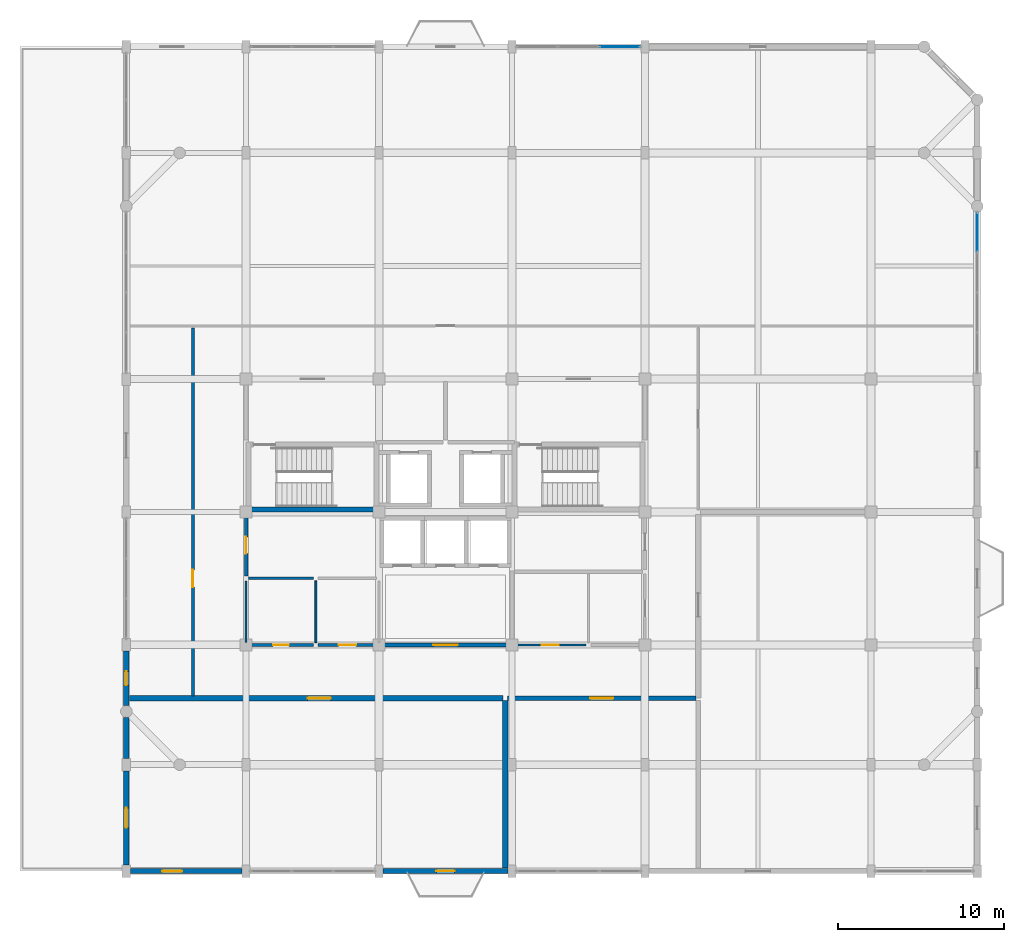
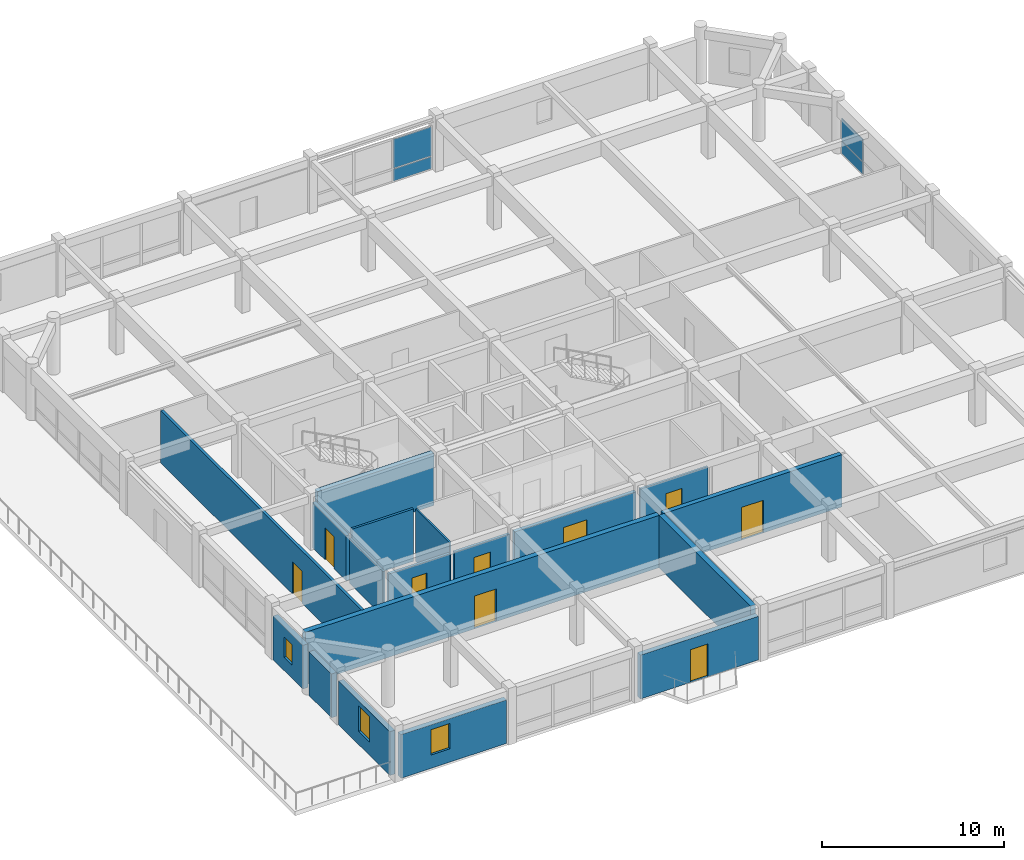
# One storey, part 9 of 13: 18 walls, 9 doors, 4 plates, 3 windows, 12 openings, 2 elements without a shape of their own.
"""IFC4 building model written with IfcOpenShell, lengths in metres."""

from ifc_helpers import new_model, si_unit, direction, frame, frame_2d, origin, origin_2d, place, context, subcontext, project, spatial, rectangle, extrude, material, layer, layer_set, type_object, element, fill, aggregate, save


model = new_model("IFC4")

# Units and contexts
model_context = context("Model", 3, precision=1e-05, world=origin(), true_north=direction((0.0, 1.0)))
body_context = subcontext(model_context, "Body", "Model", "MODEL_VIEW")
ifc_project = project(units=[si_unit("LENGTHUNIT", "METRE"), si_unit("AREAUNIT", "SQUARE_METRE"), si_unit("VOLUMEUNIT", "CUBIC_METRE"), si_unit("PLANEANGLEUNIT", "RADIAN"), si_unit("MASSUNIT", "GRAM", prefix="KILO")], contexts=[model_context])

# Site, building, storey
site_placement = place(None, origin())
site = spatial("IfcSite", under=ifc_project, at=site_placement, CompositionType="ELEMENT")
building_placement = place(site_placement, origin())
building = spatial("IfcBuilding", under=site, at=building_placement, Name="Vellmiral Cinema and Media Centre", CompositionType="ELEMENT")
storey_placement = place(building_placement, frame((0.0, 0.0, 39.5)))
storey = spatial("IfcBuildingStorey", under=building, at=storey_placement, Name="L09", CompositionType="ELEMENT", Elevation=39.5)

# Curtain wall, plate
ifc_material_1 = material(Name="Thermally Broken Aluminium and Triple Glazing", Category="aluminium")
curtain_wall_type_1 = type_object("IfcCurtainWallType", Name="CW-TOWER-MID-W", PredefinedType="USERDEFINED", material=ifc_material_1)
curtain_wall_1_placement = place(storey_placement, origin())
curtain_wall_1 = element("IfcCurtainWall", 1, at=curtain_wall_1_placement, inside=storey, type_object=curtain_wall_type_1, Name="Curtain Wall L09-B018", ObjectType="UNITISED CURTAIN WALL", PredefinedType="USERDEFINED")
ifc_material_2 = material(Name="Laminated Studio Acoustic Glazing", Category="glass")
ifc_layer_1 = layer(ifc_material_2, 0.0439453125, Name="Laminated Studio Acoustic Glazing")
ifc_layer_set_1 = layer_set([ifc_layer_1], Name="Laminated Studio Acoustic Glazing")
plate_type_1 = type_object("IfcPlateType", Name="CWP-ACOUST-44", PredefinedType="CURTAIN_PANEL", material=ifc_layer_set_1)
plate_1_placement = place(storey_placement, frame((146.483642578125, 115.199951171875, 0.9326171875), z_axis=(0.0, 0.0, 1.0), x_axis=(-1.0, 0.0, 0.0)))
plate_1 = element("IfcPlate", 2, at=plate_1_placement, type_object=plate_type_1, Name="CW-08 panel 1.2", PredefinedType="CURTAIN_PANEL", context=body_context, shape_type="SweptSolid", body=[
    extrude(rectangle(XDim=2.402587890625, YDim=0.0439453125, at=origin_2d()), origin(), (0.0, 0.0, 1.0), 1.9423828125),
])

# Curtain wall, plates
ifc_material_3 = material(Name="Thermally Broken Aluminium and Triple Glazing", Category="aluminium")
curtain_wall_type_2 = type_object("IfcCurtainWallType", Name="CW-TOWER-MID-E", PredefinedType="USERDEFINED", material=ifc_material_3)
curtain_wall_2_placement = place(storey_placement, origin())
curtain_wall_2 = element("IfcCurtainWall", 3, at=curtain_wall_2_placement, inside=storey, type_object=curtain_wall_type_2, Name="Curtain Wall L09-B012", ObjectType="UNITISED CURTAIN WALL", PredefinedType="USERDEFINED")
ifc_material_4 = material(Name="Honed Vosges Sandstone Spandrel Panel", Category="masonry")
ifc_layer_2 = layer(ifc_material_4, 0.06005859375, Name="Honed Vosges Sandstone Spandrel Panel")
ifc_layer_set_2 = layer_set([ifc_layer_2], Name="Honed Vosges Sandstone Spandrel Panel")
plate_type_2 = type_object("IfcPlateType", Name="CWP-SAND-60", PredefinedType="CURTAIN_PANEL", material=ifc_layer_set_2)
plate_2_placement = place(storey_placement, frame((168.0, 104.0244140625, 0.06494140625), z_axis=(0.0, 0.0, 1.0), x_axis=(0.0, 1.0, 0.0)))
plate_2 = element("IfcPlate", 4, at=plate_2_placement, type_object=plate_type_2, Name="CW-07 panel 4.1", PredefinedType="CURTAIN_PANEL", context=body_context, shape_type="SweptSolid", body=[
    extrude(rectangle(XDim=2.3212890625, YDim=0.06005859375, at=origin_2d()), origin(), (0.0, 0.0, 1.0), 0.802490234375),
])
ifc_material_5 = material(Name="Solar-Control Acoustic Triple Glazing", Category="glass")
ifc_layer_3 = layer(ifc_material_5, 0.0419921875, Name="Solar-Control Acoustic Triple Glazing")
ifc_layer_set_3 = layer_set([ifc_layer_3], Name="Solar-Control Acoustic Triple Glazing")
plate_type_3 = type_object("IfcPlateType", Name="CWP-SOLAR-42", PredefinedType="CURTAIN_PANEL", material=ifc_layer_set_3)
plate_3_placement = place(storey_placement, frame((168.0, 104.0244140625, 0.932373046875), z_axis=(0.0, 0.0, 1.0), x_axis=(0.0, 1.0, 0.0)))
plate_3 = element("IfcPlate", 5, at=plate_3_placement, type_object=plate_type_3, Name="CW-07 panel 4.2", PredefinedType="CURTAIN_PANEL", context=body_context, shape_type="SweptSolid", body=[
    extrude(rectangle(XDim=2.3212890625, YDim=0.0419921875, at=origin_2d()), origin(), (0.0, 0.0, 1.0), 1.4775390625),
])
aggregate(curtain_wall_2, [plate_2, plate_3])

# Plate
ifc_material_6 = material(Name="Polychrome Trencadis Ceramic Spandrel Panel", Category="ceramic")
ifc_layer_4 = layer(ifc_material_6, 0.052001953125, Name="Polychrome Trencadis Ceramic Spandrel Panel")
ifc_layer_set_4 = layer_set([ifc_layer_4], Name="Polychrome Trencadis Ceramic Spandrel Panel")
plate_type_4 = type_object("IfcPlateType", Name="CWP-TRENC-52", PredefinedType="CURTAIN_PANEL", material=ifc_layer_set_4)
plate_4_placement = place(storey_placement, frame((146.483642578125, 115.199951171875, 0.06494140625), z_axis=(0.0, 0.0, 1.0), x_axis=(-1.0, 0.0, 0.0)))
plate_4 = element("IfcPlate", 6, at=plate_4_placement, type_object=plate_type_4, Name="CW-08 panel 1.1", PredefinedType="CURTAIN_PANEL", context=body_context, shape_type="SweptSolid", body=[
    extrude(rectangle(XDim=2.402587890625, YDim=0.052001953125, at=origin_2d()), origin(), (0.0, 0.0, 1.0), 0.802490234375),
])

aggregate(curtain_wall_1, [plate_4, plate_1])

# Wall, opening, door
ifc_material_7 = material(Name="Calcium-Silicate Masonry Blockwork", Category="masonry")
ifc_layer_5 = layer(ifc_material_7, 0.10009765625, Name="Calcium-Silicate Masonry Blockwork", Category="masonry")
ifc_material_8 = material(Name="Mineral Wool Acoustic Insulation", Category="insulation")
ifc_layer_6 = layer(ifc_material_8, 0.090087890625, Name="Mineral Wool Acoustic Insulation", Category="insulation")
ifc_layer_7 = layer(ifc_material_7, 0.10009765625, Name="Calcium-Silicate Masonry Blockwork", Category="masonry")
ifc_layer_set_5 = layer_set([ifc_layer_5, ifc_layer_6, ifc_layer_7], Name="Calcium-Silicate Masonry Blockwork")
wall_type_1 = type_object("IfcWallType", Name="WL-AC-290", PredefinedType="SOLIDWALL", material=ifc_layer_set_5)
wall_1_placement = place(storey_placement, frame((139.739990234375, 76.0, 0.0), z_axis=(0.0, 0.0, 1.0), x_axis=(1.0, 0.0, 0.0)))
wall_1 = element("IfcWall", 7, at=wall_1_placement, inside=storey, type_object=wall_type_1, Name="Podcast Recording Studio South Wall N", PredefinedType="SOLIDWALL", context=body_context, shape_type="SweptSolid", body=[
    extrude(rectangle(XDim=11.320068359375, YDim=0.2900390625, at=frame_2d((5.66015625, 0.0))), origin(), (0.0, 0.0, 1.0), 3.52001953125),
])
opening_1_placement = place(wall_1_placement, frame((4.9599609375, 0.0, 0.0)))
opening_1 = element("IfcOpeningElement", 8, at=opening_1_placement, cuts=wall_1, Name="Opening D-AC4", PredefinedType="OPENING", context=body_context, shape_type="SweptSolid", body=[
    extrude(rectangle(XDim=1.39990234375, YDim=2.199951171875, at=frame_2d((0.699951171875, 1.10009765625))), frame((0.0, 0.156982421875, 0.0), z_axis=(0.0, -1.0, 0.0), x_axis=(1.0, 0.0, 0.0)), (0.0, 0.0, 1.0), 0.31396484375),
])
ifc_material_9 = material(Name="Acoustic Studio Door", Category="steel")
door_type_1 = type_object("IfcDoorType", Name="DR-AC-1400x2200", OperationType="NOTDEFINED", PredefinedType="DOOR", material=ifc_material_9)
door_1_placement = place(opening_1_placement, origin())
door_1 = element("IfcDoor", 9, at=door_1_placement, inside=storey, type_object=door_type_1, Name="Podcast Recording Studio South Door", OperationType="SINGLE_SWING_RIGHT", OverallHeight=2.199951171875, OverallWidth=1.39990234375, PredefinedType="DOOR", context=body_context, shape_type="SweptSolid", body=[
    extrude(rectangle(XDim=1.39990234375, YDim=2.199951171875, at=frame_2d((0.699951171875, 1.10009765625))), frame((0.0, 0.02490234375, 0.0), z_axis=(0.0, -1.0, 0.0), x_axis=(1.0, 0.0, 0.0)), (0.0, 0.0, 1.0), 0.050048828125),
])
fill(opening_1, door_1)

ifc_material_10 = material(Name="Calcium-Silicate Masonry Blockwork", Category="masonry")
ifc_layer_8 = layer(ifc_material_10, 0.1201171875, Name="Calcium-Silicate Masonry Blockwork", Category="masonry")
ifc_material_11 = material(Name="Mineral Wool Acoustic Insulation", Category="insulation")
ifc_layer_9 = layer(ifc_material_11, 0.090087890625, Name="Mineral Wool Acoustic Insulation", Category="insulation")
ifc_layer_10 = layer(ifc_material_10, 0.1201171875, Name="Calcium-Silicate Masonry Blockwork", Category="masonry")
ifc_layer_set_6 = layer_set([ifc_layer_8, ifc_layer_9, ifc_layer_10], Name="Calcium-Silicate Masonry Blockwork")
wall_type_2 = type_object("IfcWallType", Name="WL-AC-330", PredefinedType="SOLIDWALL", material=ifc_layer_set_6)
wall_2_placement = place(storey_placement, frame((116.97509765625, 76.0, 0.0), z_axis=(0.0, 0.0, 1.0), x_axis=(1.0, 0.0, 0.0)))
wall_2 = element("IfcWall", 10, at=wall_2_placement, inside=storey, type_object=wall_type_2, Name="Radio Drama Studio West Wall N", PredefinedType="SOLIDWALL", context=body_context, shape_type="SweptSolid", body=[
    extrude(rectangle(XDim=22.48486328125, YDim=0.330078125, at=frame_2d((11.242431640625, 0.0))), origin(), (0.0, 0.0, 1.0), 3.52001953125),
])
opening_2_placement = place(wall_2_placement, frame((10.72509765625, 0.0, 0.0)))
opening_2 = element("IfcOpeningElement", 11, at=opening_2_placement, cuts=wall_2, Name="Opening D-AC4", PredefinedType="OPENING", context=body_context, shape_type="SweptSolid", body=[
    extrude(rectangle(XDim=1.39990234375, YDim=2.199951171875, at=frame_2d((0.699951171875, 1.10009765625))), frame((0.0, 0.177001953125, 0.0), z_axis=(0.0, -1.0, 0.0), x_axis=(1.0, 0.0, 0.0)), (0.0, 0.0, 1.0), 0.35400390625),
])
door_2_placement = place(opening_2_placement, origin())
door_2 = element("IfcDoor", 12, at=door_2_placement, inside=storey, type_object=door_type_1, Name="Radio Drama Studio West Door", OperationType="SINGLE_SWING_RIGHT", OverallHeight=2.199951171875, OverallWidth=1.39990234375, PredefinedType="DOOR", context=body_context, shape_type="SweptSolid", body=[
    extrude(rectangle(XDim=1.39990234375, YDim=2.199951171875, at=frame_2d((0.699951171875, 1.10009765625))), frame((0.0, 0.02490234375, 0.0), z_axis=(0.0, -1.0, 0.0), x_axis=(1.0, 0.0, 0.0)), (0.0, 0.0, 1.0), 0.050048828125),
])
fill(opening_2, door_2)

# Wall
wall_3_placement = place(storey_placement, frame((139.60009765625, 65.77490234375, 0.0), z_axis=(0.0, 0.0, 1.0), x_axis=(0.0, 1.0, 0.0)))
element("IfcWall", 13, at=wall_3_placement, inside=storey, type_object=wall_type_2, Name="Radio Drama Studio West Wall E", PredefinedType="SOLIDWALL", context=body_context, shape_type="SweptSolid", body=[
    extrude(rectangle(XDim=10.085205078125, YDim=0.330078125, at=frame_2d((5.04248046875, 0.0))), origin(), (0.0, 0.0, 1.0), 3.52001953125),
])

# Wall, opening, door
ifc_material_12 = material(Name="Concrete C40/50", Category="concrete")
ifc_layer_11 = layer(ifc_material_12, 0.2099609375, Name="Concrete C40/50")
ifc_layer_set_7 = layer_set([ifc_layer_11], Name="Concrete C40/50")
wall_type_3 = type_object("IfcWallType", Name="WL-COMP-210", PredefinedType="SOLIDWALL", material=ifc_layer_set_7)
wall_4_placement = place(storey_placement, frame((124.0, 83.340087890625, 0.0), z_axis=(0.0, 0.0, 1.0), x_axis=(0.0, 1.0, 0.0)))
wall_4 = element("IfcWall", 14, at=wall_4_placement, inside=storey, type_object=wall_type_3, Name="Electrical and Telecom Riser Room Wall W", PredefinedType="SOLIDWALL", context=body_context, shape_type="SweptSolid", body=[
    extrude(rectangle(XDim=3.719970703125, YDim=0.2099609375, at=frame_2d((1.85986328125, 0.0))), origin(), (0.0, 0.0, 1.0), 3.034912109375),
])
opening_3_placement = place(wall_4_placement, frame((1.360107421875, 0.0, 0.0)))
opening_3 = element("IfcOpeningElement", 15, at=opening_3_placement, cuts=wall_4, Name="Opening D-FD30B", PredefinedType="OPENING", context=body_context, shape_type="SweptSolid", body=[
    extrude(rectangle(XDim=1.0, YDim=2.14990234375, at=frame_2d((0.5, 1.074951171875))), frame((0.0, 0.116943359375, 0.0), z_axis=(0.0, -1.0, 0.0), x_axis=(1.0, 0.0, 0.0)), (0.0, 0.0, 1.0), 0.23388671875),
])
ifc_material_13 = material(Name="Steel Riser Fire Door", Category="steel")
door_type_2 = type_object("IfcDoorType", Name="DR-FD30-1000x2150", OperationType="NOTDEFINED", PredefinedType="DOOR", material=ifc_material_13)
door_3_placement = place(opening_3_placement, frame((1.0, 0.0, 0.0), z_axis=(0.0, 0.0, 1.0), x_axis=(-1.0, 0.0, 0.0)))
door_3 = element("IfcDoor", 16, at=door_3_placement, inside=storey, type_object=door_type_2, Name="Electrical and Telecom Riser Room Door", OperationType="SINGLE_SWING_LEFT", OverallHeight=2.14990234375, OverallWidth=1.0, PredefinedType="DOOR", context=body_context, shape_type="SweptSolid", body=[
    extrude(rectangle(XDim=1.0, YDim=2.14990234375, at=frame_2d((0.5, 1.074951171875))), frame((0.0, 0.02490234375, 0.0), z_axis=(0.0, -1.0, 0.0), x_axis=(1.0, 0.0, 0.0)), (0.0, 0.0, 1.0), 0.050048828125),
])
fill(opening_3, door_3)

# Wall
ifc_material_14 = material(Name="Concrete C40/50", Category="concrete")
ifc_layer_12 = layer(ifc_material_14, 0.300048828125, Name="Concrete C40/50")
ifc_layer_set_8 = layer_set([ifc_layer_12], Name="Concrete C40/50")
wall_type_4 = type_object("IfcWallType", Name="WL-CORE-300", PredefinedType="SHEAR", material=ifc_layer_set_8)
wall_5_placement = place(storey_placement, frame((124.300048828125, 87.35009765625, 0.0), z_axis=(0.0, 0.0, 1.0), x_axis=(1.0, 0.0, 0.0)))
element("IfcWall", 17, at=wall_5_placement, inside=storey, type_object=wall_type_4, Name="Stair Core Wall ST-T1 L09-S", PredefinedType="SHEAR", context=body_context, shape_type="SweptSolid", body=[
    extrude(rectangle(XDim=7.39990234375, YDim=0.300048828125, at=frame_2d((3.699951171875, 0.0))), origin(), (0.0, 0.0, 1.0), 3.52001953125),
])

# Wall, opening, window
ifc_material_15 = material(Name="Polychrome Glazed Ceramic Cladding", Category="masonry")
ifc_layer_13 = layer(ifc_material_15, 0.320068359375, Name="Polychrome Glazed Ceramic Cladding")
ifc_layer_set_9 = layer_set([ifc_layer_13], Name="Polychrome Glazed Ceramic Cladding")
wall_type_5 = type_object("IfcWallType", Name="WL-EXT-BRICK-320", PredefinedType="SOLIDWALL", material=ifc_layer_set_9)
wall_6_placement = place(storey_placement, frame((117.050048828125, 65.60009765625, 0.0), z_axis=(0.0, 0.0, 1.0), x_axis=(1.0, 0.0, 0.0)))
wall_6 = element("IfcWall", 18, at=wall_6_placement, inside=storey, type_object=wall_type_5, Name="Exterior Facade Wall L09-001", PredefinedType="SOLIDWALL", context=body_context, shape_type="SweptSolid", body=[
    extrude(rectangle(XDim=6.699951171875, YDim=0.320068359375, at=frame_2d((3.35009765625, 0.0))), origin(), (0.0, 0.0, 1.0), 2.925048828125),
])
opening_4_placement = place(wall_6_placement, frame((1.89990234375, 0.0, 0.89990234375)))
opening_4 = element("IfcOpeningElement", 19, at=opening_4_placement, cuts=wall_6, Name="Opening WN-10", PredefinedType="OPENING", context=body_context, shape_type="SweptSolid", body=[
    extrude(rectangle(XDim=1.199951171875, YDim=1.699951171875, at=frame_2d((0.60009765625, 0.85009765625))), frame((0.0, 0.171875, 0.0), z_axis=(0.0, -1.0, 0.0), x_axis=(1.0, 0.0, 0.0)), (0.0, 0.0, 1.0), 0.343994140625),
])
ifc_material_16 = material(Name="Thermally Broken Aluminium Triple Glazing", Category="aluminium")
window_type_1 = type_object("IfcWindowType", Name="WN-1200x1700", PartitioningType="SINGLE_PANEL", PredefinedType="WINDOW", material=ifc_material_16)
window_1_placement = place(opening_4_placement, origin())
window_1 = element("IfcWindow", 20, at=window_1_placement, inside=storey, type_object=window_type_1, Name="Window L09-001", OverallHeight=1.699951171875, OverallWidth=1.199951171875, PartitioningType="SINGLE_PANEL", PredefinedType="WINDOW", context=body_context, shape_type="SweptSolid", body=[
    extrude(rectangle(XDim=1.199951171875, YDim=1.699951171875, at=frame_2d((0.60009765625, 0.85009765625))), frame((0.0, 0.030029296875, 0.0), z_axis=(0.0, -1.0, 0.0), x_axis=(1.0, 0.0, 0.0)), (0.0, 0.0, 1.0), 0.06005859375),
])
fill(opening_4, window_1)

# Wall, opening, door
wall_7_placement = place(storey_placement, frame((132.25, 65.60009765625, 0.0), z_axis=(0.0, 0.0, 1.0), x_axis=(1.0, 0.0, 0.0)))
wall_7 = element("IfcWall", 21, at=wall_7_placement, inside=storey, type_object=wall_type_5, Name="Exterior Facade Wall L09-003", PredefinedType="SOLIDWALL", context=body_context, shape_type="SweptSolid", body=[
    extrude(rectangle(XDim=7.5, YDim=0.320068359375, at=frame_2d((3.75, 0.0))), origin(), (0.0, 0.0, 1.0), 2.93994140625),
])
opening_5_placement = place(wall_7_placement, frame((3.199951171875, 0.0, 0.0)))
opening_5 = element("IfcOpeningElement", 22, at=opening_5_placement, cuts=wall_7, Name="Opening DE-06", PredefinedType="OPENING", context=body_context, shape_type="SweptSolid", body=[
    extrude(rectangle(XDim=1.10009765625, YDim=2.199951171875, at=frame_2d((0.550048828125, 1.10009765625))), frame((0.0, 0.171875, 0.0), z_axis=(0.0, -1.0, 0.0), x_axis=(1.0, 0.0, 0.0)), (0.0, 0.0, 1.0), 0.343994140625),
])
ifc_material_17 = material(Name="Thermally Broken Glazed Aluminium and Bronze Door", Category="aluminium")
door_type_3 = type_object("IfcDoorType", Name="DR-MIRA-1100x2200", OperationType="NOTDEFINED", PredefinedType="DOOR", material=ifc_material_17)
door_4_placement = place(opening_5_placement, frame((1.10009765625, 0.0, 0.0), z_axis=(0.0, 0.0, 1.0), x_axis=(-1.0, 0.0, 0.0)))
door_4 = element("IfcDoor", 23, at=door_4_placement, inside=storey, type_object=door_type_3, Name="Mirador Balcony Door L09-S", OperationType="SINGLE_SWING_LEFT", OverallHeight=2.199951171875, OverallWidth=1.10009765625, PredefinedType="DOOR", context=body_context, shape_type="SweptSolid", body=[
    extrude(rectangle(XDim=1.10009765625, YDim=2.199951171875, at=frame_2d((0.550048828125, 1.10009765625))), frame((0.0, 0.02490234375, 0.0), z_axis=(0.0, -1.0, 0.0), x_axis=(1.0, 0.0, 0.0)), (0.0, 0.0, 1.0), 0.050048828125),
])
fill(opening_5, door_4)

# Wall, opening, window
wall_8_placement = place(storey_placement, frame((116.800048828125, 78.824951171875, 0.0), z_axis=(0.0, 0.0, 1.0), x_axis=(0.0, -1.0, 0.0)))
wall_8 = element("IfcWall", 24, at=wall_8_placement, inside=storey, type_object=wall_type_5, Name="Exterior Facade Wall L09-027", PredefinedType="SOLIDWALL", context=body_context, shape_type="SweptSolid", body=[
    extrude(rectangle(XDim=3.27490234375, YDim=0.320068359375, at=frame_2d((1.637451171875, 0.0))), origin(), (0.0, 0.0, 1.0), 2.93994140625),
])
opening_6_placement = place(wall_8_placement, frame((1.21240234375, 0.0, 0.89990234375)))
opening_6 = element("IfcOpeningElement", 25, at=opening_6_placement, cuts=wall_8, Name="Opening WN-13", PredefinedType="OPENING", context=body_context, shape_type="SweptSolid", body=[
    extrude(rectangle(XDim=0.85009765625, YDim=1.35009765625, at=frame_2d((0.425048828125, 0.675048828125))), frame((0.0, 0.171875, 0.0), z_axis=(0.0, -1.0, 0.0), x_axis=(1.0, 0.0, 0.0)), (0.0, 0.0, 1.0), 0.343994140625),
])
ifc_material_18 = material(Name="Thermally Broken Aluminium Triple Glazing", Category="aluminium")
window_type_2 = type_object("IfcWindowType", Name="WN-0850x1350", PartitioningType="SINGLE_PANEL", PredefinedType="WINDOW", material=ifc_material_18)
window_2_placement = place(opening_6_placement, origin())
window_2 = element("IfcWindow", 26, at=window_2_placement, inside=storey, type_object=window_type_2, Name="Window L09-027", OverallHeight=1.35009765625, OverallWidth=0.85009765625, PartitioningType="SINGLE_PANEL", PredefinedType="WINDOW", context=body_context, shape_type="SweptSolid", body=[
    extrude(rectangle(XDim=0.85009765625, YDim=1.35009765625, at=frame_2d((0.425048828125, 0.675048828125))), frame((0.0, 0.030029296875, 0.0), z_axis=(0.0, -1.0, 0.0), x_axis=(1.0, 0.0, 0.0)), (0.0, 0.0, 1.0), 0.06005859375),
])
fill(opening_6, window_2)

wall_9_placement = place(storey_placement, frame((116.800048828125, 71.625, 0.0), z_axis=(0.0, 0.0, 1.0), x_axis=(0.0, -1.0, 0.0)))
wall_9 = element("IfcWall", 27, at=wall_9_placement, inside=storey, type_object=wall_type_5, Name="Exterior Facade Wall L09-029", PredefinedType="SOLIDWALL", context=body_context, shape_type="SweptSolid", body=[
    extrude(rectangle(XDim=5.64990234375, YDim=0.320068359375, at=frame_2d((2.824951171875, 0.0))), origin(), (0.0, 0.0, 1.0), 2.93994140625),
])
opening_7_placement = place(wall_9_placement, frame((2.22509765625, 0.0, 0.89990234375)))
opening_7 = element("IfcOpeningElement", 28, at=opening_7_placement, cuts=wall_9, Name="Opening WN-10", PredefinedType="OPENING", context=body_context, shape_type="SweptSolid", body=[
    extrude(rectangle(XDim=1.199951171875, YDim=1.699951171875, at=frame_2d((0.60009765625, 0.85009765625))), frame((0.0, 0.171875, 0.0), z_axis=(0.0, -1.0, 0.0), x_axis=(1.0, 0.0, 0.0)), (0.0, 0.0, 1.0), 0.343994140625),
])
window_3_placement = place(opening_7_placement, origin())
window_3 = element("IfcWindow", 29, at=window_3_placement, inside=storey, type_object=window_type_1, Name="Window L09-029", OverallHeight=1.699951171875, OverallWidth=1.199951171875, PartitioningType="SINGLE_PANEL", PredefinedType="WINDOW", context=body_context, shape_type="SweptSolid", body=[
    extrude(rectangle(XDim=1.199951171875, YDim=1.699951171875, at=frame_2d((0.60009765625, 0.85009765625))), frame((0.0, 0.030029296875, 0.0), z_axis=(0.0, -1.0, 0.0), x_axis=(1.0, 0.0, 0.0)), (0.0, 0.0, 1.0), 0.06005859375),
])
fill(opening_7, window_3)

# Wall
ifc_material_19 = material(Name="Vosges Red Sandstone Masonry", Category="masonry")
ifc_layer_14 = layer(ifc_material_19, 0.340087890625, Name="Vosges Red Sandstone Masonry")
ifc_layer_set_10 = layer_set([ifc_layer_14], Name="Vosges Red Sandstone Masonry")
wall_type_6 = type_object("IfcWallType", Name="WL-EXT-SAND-340", PredefinedType="SOLIDWALL", material=ifc_layer_set_10)
wall_10_placement = place(storey_placement, frame((116.800048828125, 74.85009765625, 0.0), z_axis=(0.0, 0.0, 1.0), x_axis=(0.0, -1.0, 0.0)))
element("IfcWall", 30, at=wall_10_placement, inside=storey, type_object=wall_type_6, Name="Exterior Facade Wall L09-028", PredefinedType="SOLIDWALL", context=body_context, shape_type="SweptSolid", body=[
    extrude(rectangle(XDim=2.47509765625, YDim=0.340087890625, at=frame_2d((1.237548828125, 0.0))), origin(), (0.0, 0.0, 1.0), 2.93994140625),
])

# Wall, opening, door
ifc_material_20 = material(Name="Concrete C40/50", Category="concrete")
ifc_layer_15 = layer(ifc_material_20, 0.22998046875, Name="Concrete C40/50")
ifc_layer_set_11 = layer_set([ifc_layer_15], Name="Concrete C40/50")
wall_type_7 = type_object("IfcWallType", Name="WL-FFL-230", PredefinedType="SOLIDWALL", material=ifc_layer_set_11)
wall_11_placement = place(storey_placement, frame((132.139892578125, 79.199951171875, 0.0), z_axis=(0.0, 0.0, 1.0), x_axis=(1.0, 0.0, 0.0)))
wall_11 = element("IfcWall", 31, at=wall_11_placement, inside=storey, type_object=wall_type_7, Name="Tower Passenger Lift Lobby Wall S", PredefinedType="SOLIDWALL", context=body_context, shape_type="SweptSolid", body=[
    extrude(rectangle(XDim=7.72021484375, YDim=0.22998046875, at=frame_2d((3.860107421875, 0.0))), origin(), (0.0, 0.0, 1.0), 2.985107421875),
])
opening_8_placement = place(wall_11_placement, frame((3.110107421875, 0.0, 0.0)))
opening_8 = element("IfcOpeningElement", 32, at=opening_8_placement, cuts=wall_11, Name="Opening D-FD30", PredefinedType="OPENING", context=body_context, shape_type="SweptSolid", body=[
    extrude(rectangle(XDim=1.5, YDim=2.199951171875, at=frame_2d((0.75, 1.10009765625))), frame((0.0, 0.126953125, 0.0), z_axis=(0.0, -1.0, 0.0), x_axis=(1.0, 0.0, 0.0)), (0.0, 0.0, 1.0), 0.25390625),
])
ifc_material_21 = material(Name="Timber-Core Fire Door", Category="wood")
door_type_4 = type_object("IfcDoorType", Name="DR-FD30-1500x2200", OperationType="DOUBLE_DOOR_SINGLE_SWING", PredefinedType="DOOR", material=ifc_material_21)
door_5_placement = place(opening_8_placement, frame((1.5, 0.0, 0.0), z_axis=(0.0, 0.0, 1.0), x_axis=(-1.0, 0.0, 0.0)))
door_5 = element("IfcDoor", 33, at=door_5_placement, inside=storey, type_object=door_type_4, Name="Tower Passenger Lift Lobby Door", OperationType="DOUBLE_DOOR_SINGLE_SWING", OverallHeight=2.199951171875, OverallWidth=1.5, PredefinedType="DOOR", context=body_context, shape_type="SweptSolid", body=[
    extrude(rectangle(XDim=1.5, YDim=2.199951171875, at=frame_2d((0.75, 1.10009765625))), frame((0.0, 0.02490234375, 0.0), z_axis=(0.0, -1.0, 0.0), x_axis=(1.0, 0.0, 0.0)), (0.0, 0.0, 1.0), 0.050048828125),
])
fill(opening_8, door_5)

# Walls
ifc_material_22 = material(Name="Gypsum Plasterboard")
ifc_layer_16 = layer(ifc_material_22, 0.02490234375, Name="Gypsum Plasterboard", Category="gypsum")
ifc_material_23 = material(Name="Mineral Wool Acoustic Insulation", Category="insulation")
ifc_layer_17 = layer(ifc_material_23, 0.06005859375, Name="Mineral Wool Acoustic Insulation", Category="insulation")
ifc_layer_18 = layer(ifc_material_22, 0.02490234375, Name="Gypsum Plasterboard", Category="gypsum")
ifc_layer_set_12 = layer_set([ifc_layer_16, ifc_layer_17, ifc_layer_18], Name="Gypsum Plasterboard")
wall_type_8 = type_object("IfcWallType", Name="WL-PART-110", PredefinedType="PARTITIONING", material=ifc_layer_set_12)
wall_12_placement = place(storey_placement, frame((128.199951171875, 79.340087890625, 0.0), z_axis=(0.0, 0.0, 1.0), x_axis=(0.0, 1.0, 0.0)))
element("IfcWall", 34, at=wall_12_placement, inside=storey, type_object=wall_type_8, Name="Staff WC Wall E", PredefinedType="PARTITIONING", context=body_context, shape_type="SweptSolid", body=[
    extrude(rectangle(XDim=3.719970703125, YDim=0.110107421875, at=frame_2d((1.85986328125, 0.0))), origin(), (0.0, 0.0, 1.0), 3.52001953125),
])
ifc_material_24 = material(Name="Gypsum Plasterboard")
ifc_layer_19 = layer(ifc_material_24, 0.02490234375, Name="Gypsum Plasterboard", Category="gypsum")
ifc_material_25 = material(Name="Mineral Wool Acoustic Insulation", Category="insulation")
ifc_layer_20 = layer(ifc_material_25, 0.080078125, Name="Mineral Wool Acoustic Insulation", Category="insulation")
ifc_layer_21 = layer(ifc_material_24, 0.02490234375, Name="Gypsum Plasterboard", Category="gypsum")
ifc_layer_set_13 = layer_set([ifc_layer_19, ifc_layer_20, ifc_layer_21], Name="Gypsum Plasterboard")
wall_type_9 = type_object("IfcWallType", Name="WL-PART-130", PredefinedType="PARTITIONING", material=ifc_layer_set_13)
wall_13_placement = place(storey_placement, frame((124.0, 79.340087890625, 0.0), z_axis=(0.0, 0.0, 1.0), x_axis=(0.0, 1.0, 0.0)))
element("IfcWall", 35, at=wall_13_placement, inside=storey, type_object=wall_type_9, Name="Staff WC Wall W", PredefinedType="PARTITIONING", context=body_context, shape_type="SweptSolid", body=[
    extrude(rectangle(XDim=3.719970703125, YDim=0.1298828125, at=frame_2d((1.85986328125, 0.0))), origin(), (0.0, 0.0, 1.0), 3.034912109375),
])

# Wall, opening, door
wall_14_placement = place(storey_placement, frame((140.139892578125, 79.199951171875, 0.0), z_axis=(0.0, 0.0, 1.0), x_axis=(1.0, 0.0, 0.0)))
wall_14 = element("IfcWall", 36, at=wall_14_placement, inside=storey, type_object=wall_type_9, Name="Staff Tea Pantry Wall S", PredefinedType="PARTITIONING", context=body_context, shape_type="SweptSolid", body=[
    extrude(rectangle(XDim=4.320068359375, YDim=0.1298828125, at=frame_2d((2.16015625, 0.0))), origin(), (0.0, 0.0, 1.0), 3.034912109375),
])
opening_9_placement = place(wall_14_placement, frame((1.659912109375, 0.0, 0.0)))
opening_9 = element("IfcOpeningElement", 37, at=opening_9_placement, cuts=wall_14, Name="Opening D-I08", PredefinedType="OPENING", context=body_context, shape_type="SweptSolid", body=[
    extrude(rectangle(XDim=1.0, YDim=2.14990234375, at=frame_2d((0.5, 1.074951171875))), frame((0.0, 0.076904296875, 0.0), z_axis=(0.0, -1.0, 0.0), x_axis=(1.0, 0.0, 0.0)), (0.0, 0.0, 1.0), 0.15380859375),
])
ifc_material_26 = material(Name="Laminated Timber Door", Category="wood")
door_type_5 = type_object("IfcDoorType", Name="DR-INT-1000x2150", OperationType="NOTDEFINED", PredefinedType="DOOR", material=ifc_material_26)
door_6_placement = place(opening_9_placement, origin())
door_6 = element("IfcDoor", 38, at=door_6_placement, inside=storey, type_object=door_type_5, Name="Staff Tea Pantry Door", OperationType="SINGLE_SWING_RIGHT", OverallHeight=2.14990234375, OverallWidth=1.0, PredefinedType="DOOR", context=body_context, shape_type="SweptSolid", body=[
    extrude(rectangle(XDim=1.0, YDim=2.14990234375, at=frame_2d((0.5, 1.074951171875))), frame((0.0, 0.02490234375, 0.0), z_axis=(0.0, -1.0, 0.0), x_axis=(1.0, 0.0, 0.0)), (0.0, 0.0, 1.0), 0.050048828125),
])
fill(opening_9, door_6)

# Wall
ifc_material_27 = material(Name="Gypsum Plasterboard")
ifc_layer_22 = layer(ifc_material_27, 0.02490234375, Name="Gypsum Plasterboard", Category="gypsum")
ifc_material_28 = material(Name="Mineral Wool Acoustic Insulation", Category="insulation")
ifc_layer_23 = layer(ifc_material_28, 0.10009765625, Name="Mineral Wool Acoustic Insulation", Category="insulation")
ifc_layer_24 = layer(ifc_material_27, 0.02490234375, Name="Gypsum Plasterboard", Category="gypsum")
ifc_layer_set_14 = layer_set([ifc_layer_22, ifc_layer_23, ifc_layer_24], Name="Gypsum Plasterboard")
wall_type_10 = type_object("IfcWallType", Name="WL-PART-150", PredefinedType="PARTITIONING", material=ifc_layer_set_14)
wall_15_placement = place(storey_placement, frame((124.139892578125, 83.199951171875, 0.0), z_axis=(0.0, 0.0, 1.0), x_axis=(1.0, 0.0, 0.0)))
element("IfcWall", 39, at=wall_15_placement, inside=storey, type_object=wall_type_10, Name="Staff WC Wall N", PredefinedType="PARTITIONING", context=body_context, shape_type="SweptSolid", body=[
    extrude(rectangle(XDim=3.920166015625, YDim=0.14990234375, at=frame_2d((1.9599609375, 0.0))), origin(), (0.0, 0.0, 1.0), 3.52001953125),
])

# Wall, opening, door
ifc_material_29 = material(Name="Gypsum Plasterboard")
ifc_layer_25 = layer(ifc_material_29, 0.02490234375, Name="Gypsum Plasterboard", Category="gypsum")
ifc_material_30 = material(Name="Mineral Wool Acoustic Insulation", Category="insulation")
ifc_layer_26 = layer(ifc_material_30, 0.1201171875, Name="Mineral Wool Acoustic Insulation", Category="insulation")
ifc_layer_27 = layer(ifc_material_29, 0.02490234375, Name="Gypsum Plasterboard", Category="gypsum")
ifc_layer_set_15 = layer_set([ifc_layer_25, ifc_layer_26, ifc_layer_27], Name="Gypsum Plasterboard")
wall_type_11 = type_object("IfcWallType", Name="WL-PART-170", PredefinedType="PARTITIONING", material=ifc_layer_set_15)
wall_16_placement = place(storey_placement, frame((124.139892578125, 79.199951171875, 0.0), z_axis=(0.0, 0.0, 1.0), x_axis=(1.0, 0.0, 0.0)))
wall_16 = element("IfcWall", 40, at=wall_16_placement, inside=storey, type_object=wall_type_11, Name="Staff WC Wall S", PredefinedType="PARTITIONING", context=body_context, shape_type="SweptSolid", body=[
    extrude(rectangle(XDim=3.920166015625, YDim=0.169921875, at=frame_2d((1.9599609375, 0.0))), origin(), (0.0, 0.0, 1.0), 2.93505859375),
])
opening_10_placement = place(wall_16_placement, frame((1.485107421875, 0.0, 0.0)))
opening_10 = element("IfcOpeningElement", 41, at=opening_10_placement, cuts=wall_16, Name="Opening D-I09", PredefinedType="OPENING", context=body_context, shape_type="SweptSolid", body=[
    extrude(rectangle(XDim=0.949951171875, YDim=2.14990234375, at=frame_2d((0.47509765625, 1.074951171875))), frame((0.0, 0.096923828125, 0.0), z_axis=(0.0, -1.0, 0.0), x_axis=(1.0, 0.0, 0.0)), (0.0, 0.0, 1.0), 0.19384765625),
])
ifc_material_31 = material(Name="Moisture-Resistant Timber Door", Category="wood")
door_type_6 = type_object("IfcDoorType", Name="DR-INT-950x2150", OperationType="NOTDEFINED", PredefinedType="DOOR", material=ifc_material_31)
door_7_placement = place(opening_10_placement, origin())
door_7 = element("IfcDoor", 42, at=door_7_placement, inside=storey, type_object=door_type_6, Name="Staff WC Door", OperationType="SINGLE_SWING_LEFT", OverallHeight=2.14990234375, OverallWidth=0.949951171875, PredefinedType="DOOR", context=body_context, shape_type="SweptSolid", body=[
    extrude(rectangle(XDim=0.949951171875, YDim=2.14990234375, at=frame_2d((0.47509765625, 1.074951171875))), frame((0.0, 0.02490234375, 0.0), z_axis=(0.0, -1.0, 0.0), x_axis=(1.0, 0.0, 0.0)), (0.0, 0.0, 1.0), 0.050048828125),
])
fill(opening_10, door_7)

wall_17_placement = place(storey_placement, frame((128.340087890625, 79.199951171875, 0.0), z_axis=(0.0, 0.0, 1.0), x_axis=(1.0, 0.0, 0.0)))
wall_17 = element("IfcWall", 43, at=wall_17_placement, inside=storey, type_object=wall_type_11, Name="Accessible WC Wall S", PredefinedType="PARTITIONING", context=body_context, shape_type="SweptSolid", body=[
    extrude(rectangle(XDim=3.52001953125, YDim=0.169921875, at=frame_2d((1.760009765625, 0.0))), origin(), (0.0, 0.0, 1.0), 2.93505859375),
])
opening_11_placement = place(wall_17_placement, frame((1.235107421875, 0.0, 0.0)))
opening_11 = element("IfcOpeningElement", 44, at=opening_11_placement, cuts=wall_17, Name="Opening D-I10", PredefinedType="OPENING", context=body_context, shape_type="SweptSolid", body=[
    extrude(rectangle(XDim=1.050048828125, YDim=2.14990234375, at=frame_2d((0.52490234375, 1.074951171875))), frame((0.0, 0.096923828125, 0.0), z_axis=(0.0, -1.0, 0.0), x_axis=(1.0, 0.0, 0.0)), (0.0, 0.0, 1.0), 0.19384765625),
])
ifc_material_32 = material(Name="Barrier-Free Timber Door", Category="wood")
door_type_7 = type_object("IfcDoorType", Name="DR-ACC-1050x2150", OperationType="NOTDEFINED", PredefinedType="DOOR", material=ifc_material_32)
door_8_placement = place(opening_11_placement, origin())
door_8 = element("IfcDoor", 45, at=door_8_placement, inside=storey, type_object=door_type_7, Name="Accessible WC Door", OperationType="SINGLE_SWING_RIGHT", OverallHeight=2.14990234375, OverallWidth=1.050048828125, PredefinedType="DOOR", context=body_context, shape_type="SweptSolid", body=[
    extrude(rectangle(XDim=1.050048828125, YDim=2.14990234375, at=frame_2d((0.52490234375, 1.074951171875))), frame((0.0, 0.02490234375, 0.0), z_axis=(0.0, -1.0, 0.0), x_axis=(1.0, 0.0, 0.0)), (0.0, 0.0, 1.0), 0.050048828125),
])
fill(opening_11, door_8)

wall_18_placement = place(storey_placement, frame((120.800048828125, 76.139892578125, 0.0), z_axis=(0.0, 0.0, 1.0), x_axis=(0.0, 1.0, 0.0)))
wall_18 = element("IfcWall", 46, at=wall_18_placement, inside=storey, type_object=wall_type_11, Name="West Podcast Lounge Wall E", PredefinedType="PARTITIONING", context=body_context, shape_type="SweptSolid", body=[
    extrude(rectangle(XDim=22.1201171875, YDim=0.169921875, at=frame_2d((11.06005859375, 0.0))), origin(), (0.0, 0.0, 1.0), 3.52001953125),
])
opening_12_placement = place(wall_18_placement, frame((6.534912109375, 0.0, 0.0)))
opening_12 = element("IfcOpeningElement", 47, at=opening_12_placement, cuts=wall_18, Name="Opening D-I07", PredefinedType="OPENING", context=body_context, shape_type="SweptSolid", body=[
    extrude(rectangle(XDim=1.050048828125, YDim=2.14990234375, at=frame_2d((0.52490234375, 1.074951171875))), frame((0.0, 0.096923828125, 0.0), z_axis=(0.0, -1.0, 0.0), x_axis=(1.0, 0.0, 0.0)), (0.0, 0.0, 1.0), 0.19384765625),
])
ifc_material_33 = material(Name="Laminated Timber Door", Category="wood")
door_type_8 = type_object("IfcDoorType", Name="DR-INT-1050x2150", OperationType="NOTDEFINED", PredefinedType="DOOR", material=ifc_material_33)
door_9_placement = place(opening_12_placement, frame((1.050048828125, 0.0, 0.0), z_axis=(0.0, 0.0, 1.0), x_axis=(-1.0, 0.0, 0.0)))
door_9 = element("IfcDoor", 48, at=door_9_placement, inside=storey, type_object=door_type_8, Name="West Podcast Lounge Door", OperationType="SINGLE_SWING_RIGHT", OverallHeight=2.14990234375, OverallWidth=1.050048828125, PredefinedType="DOOR", context=body_context, shape_type="SweptSolid", body=[
    extrude(rectangle(XDim=1.050048828125, YDim=2.14990234375, at=frame_2d((0.52490234375, 1.074951171875))), frame((0.0, 0.02490234375, 0.0), z_axis=(0.0, -1.0, 0.0), x_axis=(1.0, 0.0, 0.0)), (0.0, 0.0, 1.0), 0.050048828125),
])
fill(opening_12, door_9)

save(model, "model.ifc")
